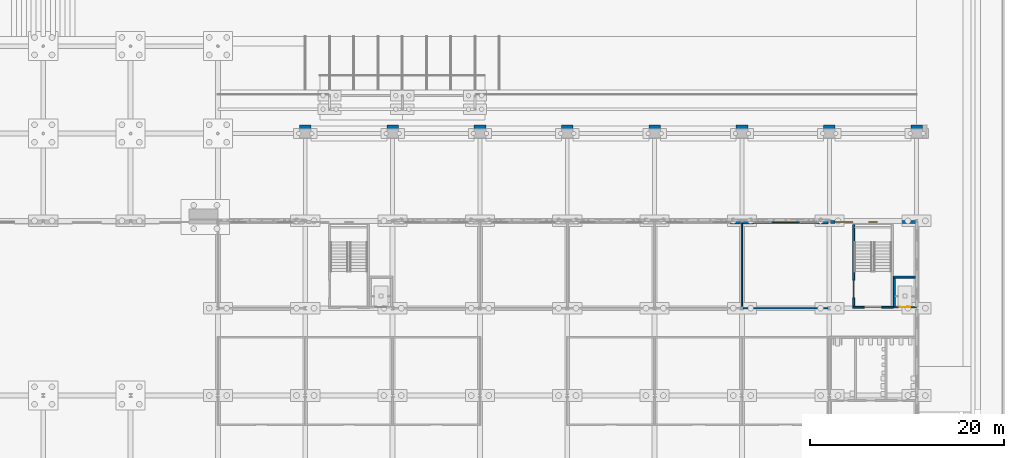
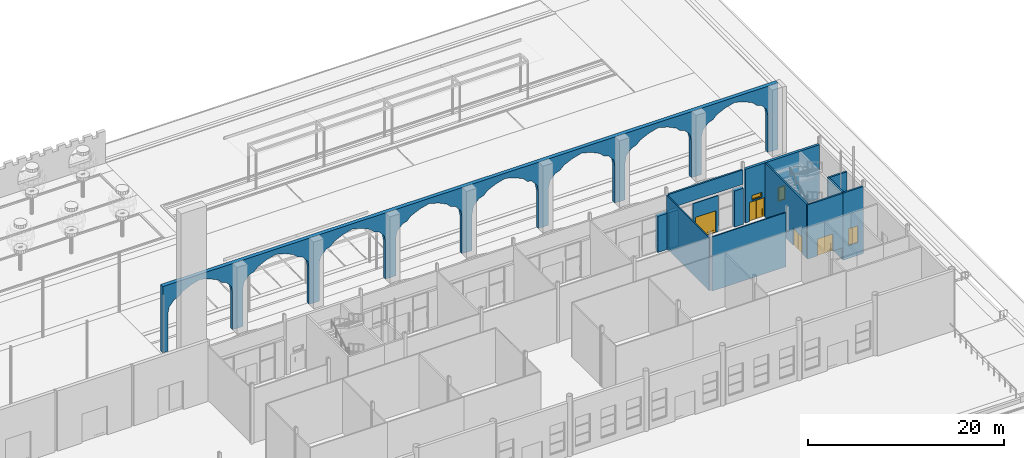
# One storey, part 132 of 250: 14 walls, 5 doors, 2 windows, 7 openings.
"""IFC4 building model written with IfcOpenShell, lengths in metres."""

import ifcopenshell
import ifcopenshell.guid

model = None  # the IFC model being written
_history = None  # IfcOwnerHistory: only IFC2X3 demands one
_inside = {}  # id of a spatial element -> (the spatial element, [elements in it])
_under = {}  # id of a project, library or spatial element -> (it, [spatial elements below it])
_declared = {}  # id of a project -> (the project, [libraries it declares])
_typed = {}  # id of a type object -> (the type object, [elements of that type])
_made_of = {}  # id of a material, layer set ... -> (it, [elements and type objects made of it])


def new_model(schema):
    """Start an empty IFC model of exactly this schema.

    Asked for "IFC4X3", IfcOpenShell would pick the latest addendum, in which some entities
    have other attributes; the version numbers below select the first issue.
    IFC2X3 requires an IfcOwnerHistory on every rooted entity: one is made here for all.
    """
    global model, _history
    if schema == "IFC4X3":
        model = ifcopenshell.file(schema_version=(4, 3, 0, 0))
    else:
        model = ifcopenshell.file(schema=schema)
    _inside.clear()
    _under.clear()
    _declared.clear()
    _typed.clear()
    _made_of.clear()
    _history = None
    if model.schema == "IFC2X3":
        org = make("IfcOrganization", Name="unknown")
        user = make(
            "IfcPersonAndOrganization",
            ThePerson=make("IfcPerson", FamilyName="unknown"),
            TheOrganization=org,
        )
        app = make(
            "IfcApplication",
            ApplicationDeveloper=org,
            Version="unknown",
            ApplicationFullName="unknown",
            ApplicationIdentifier="unknown",
        )
        _history = make(
            "IfcOwnerHistory",
            OwningUser=user,
            OwningApplication=app,
            ChangeAction="ADDED",
            CreationDate=0,
        )
    return model


def make(cls, **values):
    """One entity of the class cls with the attributes given. An attribute that is None is left unset."""
    return model.create_entity(
        cls, **{name: value for name, value in values.items() if value is not None}
    )


def rooted(cls, **values):
    """An entity with a GlobalId (a new one), such as an element, a storey or a relation."""
    return make(cls, GlobalId=ifcopenshell.guid.new(), OwnerHistory=_history, **values)


def si_unit(unit_type, name, prefix=None):
    """IfcSIUnit, for example si_unit("LENGTHUNIT", "METRE", prefix="MILLI")."""
    return make("IfcSIUnit", UnitType=unit_type, Prefix=prefix, Name=name)


def assignment(units):
    """IfcUnitAssignment: the units of a project."""
    return None if units is None else make("IfcUnitAssignment", Units=units)


def point(xyz):
    """IfcCartesianPoint."""
    return None if xyz is None else make("IfcCartesianPoint", Coordinates=xyz)


def direction(xyz):
    """IfcDirection."""
    return None if xyz is None else make("IfcDirection", DirectionRatios=xyz)


def frame(location, z_axis=None, x_axis=None):
    """IfcAxis2Placement3D, a coordinate frame: its origin and axes. An axis left out is left unset."""
    return make(
        "IfcAxis2Placement3D",
        Location=point(location),
        Axis=direction(z_axis),
        RefDirection=direction(x_axis),
    )


def frame_2d(location, x_axis=None):
    """IfcAxis2Placement2D, a coordinate frame in the plane: its origin and x axis."""
    return make(
        "IfcAxis2Placement2D", Location=point(location), RefDirection=direction(x_axis)
    )


def origin():
    """The frame at (0, 0, 0) with its axes left unset."""
    return frame((0.0, 0.0, 0.0))


def place(relative_to, where):
    """IfcLocalPlacement: puts the frame where relative to a parent placement (None: the world)."""
    return make(
        "IfcLocalPlacement", PlacementRelTo=relative_to, RelativePlacement=where
    )


def context(
    kind, dimensions, precision=None, world=None, true_north=None, identifier=None
):
    """IfcGeometricRepresentationContext, for example the 3D "Model" context."""
    return make(
        "IfcGeometricRepresentationContext",
        ContextIdentifier=identifier,
        ContextType=kind,
        CoordinateSpaceDimension=dimensions,
        Precision=precision,
        WorldCoordinateSystem=world,
        TrueNorth=true_north,
    )


def subcontext(parent, identifier, kind, view, scale=None):
    """IfcGeometricRepresentationSubContext, for example "Body" below "Model"."""
    return make(
        "IfcGeometricRepresentationSubContext",
        ContextIdentifier=identifier,
        ContextType=kind,
        ParentContext=parent,
        TargetScale=scale,
        TargetView=view,
    )


def project(units=None, contexts=None):
    """IfcProject with its units and contexts."""
    return rooted(
        "IfcProject",
        Name="project",
        RepresentationContexts=contexts,
        UnitsInContext=assignment(units),
    )


def spatial(cls, under=None, at=None, **own):
    """A site, building, storey or space (cls), placed at a placement, below another one or the project."""
    s = rooted(cls, ObjectPlacement=at, **own)
    if under is not None:
        _under.setdefault(under.id(), (under, []))[1].append(s)
    return s


def polyline(points):
    """IfcPolyline through the points."""
    return make("IfcPolyline", Points=[point(p) for p in points])


def profile(cls, at=None, kind="AREA", **sizes):
    """A parametric profile (cls). Its sizes go by their IFC names, for example OverallWidth=200.0."""
    return make(cls, ProfileType=kind, Position=at, **sizes)


def rectangle(**sizes):
    """IfcRectangleProfileDef."""
    return profile("IfcRectangleProfileDef", **sizes)


def outline(outer, holes=None, kind="AREA"):
    """IfcArbitraryClosedProfileDef: a profile drawn as a closed curve; with holes, ...WithVoids."""
    if holes is None:
        return make("IfcArbitraryClosedProfileDef", ProfileType=kind, OuterCurve=outer)
    return make(
        "IfcArbitraryProfileDefWithVoids",
        ProfileType=kind,
        OuterCurve=outer,
        InnerCurves=holes,
    )


def extrude(swept, where, along, depth):
    """IfcExtrudedAreaSolid: the profile swept, set in the frame where, extruded along a direction by depth."""
    return make(
        "IfcExtrudedAreaSolid",
        SweptArea=swept,
        Position=where,
        ExtrudedDirection=direction(along),
        Depth=depth,
    )


def shape(context_of_items, identifier, shape_type, items):
    """IfcShapeRepresentation: the items that make up one representation, for example the "Body"."""
    return make(
        "IfcShapeRepresentation",
        ContextOfItems=context_of_items,
        RepresentationIdentifier=identifier,
        RepresentationType=shape_type,
        Items=items,
    )


def material(Name=None, Category=None):
    """IfcMaterial."""
    return make("IfcMaterial", Name=Name, Category=Category)


def layer(
    of_material, thickness, ventilated=None, Name=None, Category=None, Priority=None
):
    """IfcMaterialLayer: one layer of a wall or slab, of a material (None: an air gap)."""
    return make(
        "IfcMaterialLayer",
        Material=of_material,
        LayerThickness=thickness,
        IsVentilated=ventilated,
        Name=Name,
        Category=Category,
        Priority=Priority,
    )


def layer_set(layers, Name=None):
    """IfcMaterialLayerSet."""
    return make("IfcMaterialLayerSet", MaterialLayers=layers, LayerSetName=Name)


def made_of(thing, what):
    """Note that an element or type object is made of a material, layer set ...; save() writes the relation."""
    if what is not None:
        _made_of.setdefault(what.id(), (what, []))[1].append(thing)
    return thing


def type_object(cls, material=None, **own):
    """A type object (cls), such as IfcWallType, which elements share."""
    return made_of(rooted(cls, **own), material)


def element(
    cls,
    number,
    at=None,
    inside=None,
    cuts=None,
    type_object=None,
    material=None,
    context=None,
    identifier="Body",
    shape_type=None,
    held_by="IfcProductDefinitionShape",
    body=None,
    shapes=None,
    **own,
):
    """One element of the class cls, such as IfcWall. Its Tag is "e" and its number.

    at: its placement. inside: the storey or other place that contains it. cuts: it is an
    opening in that element (IfcRelVoidsElement). A single representation is given by context,
    identifier, shape_type and body (its items); several are given by shapes. held_by: the class
    of the entity that holds the representations. save() writes the other relations.
    """
    e = rooted(cls, Tag="e%d" % number, ObjectPlacement=at, **own)
    if body is not None:
        shapes = [shape(context, identifier, shape_type, body)]
    if shapes is not None:
        e.Representation = make(held_by, Representations=shapes)
    if inside is not None:
        _inside.setdefault(inside.id(), (inside, []))[1].append(e)
    if cuts is not None:
        rooted(
            "IfcRelVoidsElement", RelatingBuildingElement=cuts, RelatedOpeningElement=e
        )
    if type_object is not None:
        _typed.setdefault(type_object.id(), (type_object, []))[1].append(e)
    return made_of(e, material)


def fill(opening, filler):
    """IfcRelFillsElement: the door or window that sits in an opening."""
    return rooted(
        "IfcRelFillsElement",
        RelatingOpeningElement=opening,
        RelatedBuildingElement=filler,
    )


def aggregate(whole, parts):
    """IfcRelAggregates: a whole, such as a stair, and the parts it consists of."""
    return rooted("IfcRelAggregates", RelatingObject=whole, RelatedObjects=parts)


def save(model, path):
    """Write the relations noted so far, then the file.

    IfcRelAggregates (storeys below a building ...), IfcRelContainedInSpatialStructure (elements
    in a storey), IfcRelDefinesByType, IfcRelAssociatesMaterial and IfcRelDeclares: one each for
    every whole, place, type object, material and project.
    """
    for whole, parts in _under.values():
        aggregate(whole, parts)
    for where, things in _inside.values():
        rooted(
            "IfcRelContainedInSpatialStructure",
            RelatedElements=things,
            RelatingStructure=where,
        )
    for kind, things in _typed.values():
        rooted("IfcRelDefinesByType", RelatedObjects=things, RelatingType=kind)
    for what, things in _made_of.values():
        rooted("IfcRelAssociatesMaterial", RelatedObjects=things, RelatingMaterial=what)
    for by, libraries in _declared.values():
        rooted("IfcRelDeclares", RelatingContext=by, RelatedDefinitions=libraries)
    model.write(path)


model = new_model("IFC4")

# Units and contexts
model_context = context("Model", 3, precision=1e-05, world=origin(), true_north=direction((0.0, 1.0)))
body_context = subcontext(model_context, "Body", "Model", "MODEL_VIEW")
ifc_project = project(units=[si_unit("LENGTHUNIT", "METRE"), si_unit("AREAUNIT", "SQUARE_METRE"), si_unit("VOLUMEUNIT", "CUBIC_METRE"), si_unit("PLANEANGLEUNIT", "RADIAN"), si_unit("MASSUNIT", "GRAM", prefix="KILO")], contexts=[model_context])

# Site, building, storey
site_placement = place(None, origin())
site = spatial("IfcSite", under=ifc_project, at=site_placement, CompositionType="ELEMENT")
building_placement = place(site_placement, origin())
building = spatial("IfcBuilding", under=site, at=building_placement, Name="Baradari Gate Terminus", CompositionType="ELEMENT")
storey_placement = place(building_placement, origin())
storey = spatial("IfcBuildingStorey", under=building, at=storey_placement, Name="L00", CompositionType="ELEMENT", Elevation=0.0)

# Walls
ifc_material_1 = material(Name="Sandstone masonry", Category="masonry")
ifc_layer_1 = layer(ifc_material_1, 0.199951171875)
ifc_layer_set_1 = layer_set([ifc_layer_1], Name="Sandstone masonry")
wall_type_1 = type_object("IfcWallType", Name="Arcade infill wall WA-1 200", PredefinedType="SOLIDWALL", material=ifc_layer_set_1)
wall_1_placement = place(storey_placement, frame((225.128173828125, 107.87841796875, 4.89990234375), z_axis=(0.0, 0.0, 1.0), x_axis=(1.0, 0.0, 0.0)))
element("IfcWall", 1, at=wall_1_placement, inside=storey, type_object=wall_type_1, Name="Arcade tympanum wall bay 25 L00", PredefinedType="SOLIDWALL", context=body_context, shape_type="SweptSolid", body=[
    extrude(rectangle(XDim=8.74365234375, YDim=0.199951171875, at=frame_2d((4.371826171875, 0.0))), origin(), (0.0, 0.0, 1.0), 1.792236328125),
])
ifc_material_2 = material(Name="Gypsum board")
ifc_layer_2 = layer(ifc_material_2, 0.125)
ifc_layer_set_2 = layer_set([ifc_layer_2], Name="Gypsum board")
wall_type_2 = type_object("IfcWallType", Name="Corridor partition PT-5 125 EI 30", PredefinedType="PARTITIONING", material=ifc_layer_set_2)
wall_2_placement = place(storey_placement, frame((225.15380859375, 99.0, 0.0), z_axis=(0.0, 0.0, 1.0), x_axis=(1.0, 0.0, 0.0)))
element("IfcWall", 2, at=wall_2_placement, inside=storey, type_object=wall_type_2, Name="PT-5 partition Corridor (Service Corridor East) / Shop 08", PredefinedType="PARTITIONING", context=body_context, shape_type="SweptSolid", body=[
    extrude(rectangle(XDim=8.6923828125, YDim=0.125, at=frame_2d((4.34619140625, 0.0))), origin(), (0.0, 0.0, 1.0), 6.757080078125),
])

# Wall, opening, door
ifc_material_3 = material(Name="Laminated glass in aluminium frame", Category="aluminium")
ifc_layer_3 = layer(ifc_material_3, 0.14990234375)
ifc_layer_set_3 = layer_set([ifc_layer_3], Name="Laminated glass in aluminium frame")
wall_type_3 = type_object("IfcWallType", Name="Glazed entrance screen WG-1 150", PredefinedType="ELEMENTEDWALL", material=ifc_layer_set_3)
wall_3_placement = place(storey_placement, frame((228.0, 107.87841796875, 0.0), z_axis=(0.0, 0.0, 1.0), x_axis=(1.0, 0.0, 0.0)))
wall_3 = element("IfcWall", 3, at=wall_3_placement, inside=storey, type_object=wall_type_3, Name="Glazed entrance screen HN bay 25 L00", PredefinedType="ELEMENTEDWALL", context=body_context, shape_type="SweptSolid", body=[
    extrude(rectangle(XDim=3.0, YDim=0.14990234375, at=frame_2d((1.5, 0.0))), origin(), (0.0, 0.0, 1.0), 4.5),
])
opening_1_placement = place(wall_3_placement, frame((0.300048828125, 0.0, 0.0)))
opening_1 = element("IfcOpeningElement", 4, at=opening_1_placement, cuts=wall_3, Name="Opening D00-031", PredefinedType="OPENING", context=body_context, shape_type="SweptSolid", body=[
    extrude(rectangle(XDim=2.39990234375, YDim=2.699951171875, at=frame_2d((1.199951171875, 1.35009765625))), frame((0.0, 0.0849609375, 0.0), z_axis=(0.0, -1.0, 0.0), x_axis=(1.0, 0.0, 0.0)), (0.0, 0.0, 1.0), 0.169921875),
])
ifc_material_4 = material(Name="Aluminium 6063-T6", Category="aluminium")
door_type_1 = type_object("IfcDoorType", Name="Shop entrance door pair, glazed DT-2 2400x2700", OperationType="DOUBLE_DOOR_DOUBLE_SWING", PredefinedType="DOOR", material=ifc_material_4)
door_1_placement = place(opening_1_placement, origin())
door_1 = element("IfcDoor", 5, at=door_1_placement, inside=storey, type_object=door_type_1, Name="Entrance door Shop 08", OperationType="DOUBLE_DOOR_SINGLE_SWING", OverallHeight=2.7, OverallWidth=2.4, PredefinedType="DOOR", context=body_context, shape_type="SweptSolid", body=[
    extrude(outline(polyline([(0.0, 0.0), (0.070068359375, 0.0), (0.070068359375, 2.6298828125), (2.329833984375, 2.6298828125), (2.329833984375, 0.0), (2.39990234375, 0.0), (2.39990234375, 2.699951171875), (0.0, 2.699951171875), (0.0, 0.0)])), frame((0.0, 0.02490234375, 0.0), z_axis=(0.0, -1.0, 0.0), x_axis=(1.0, 0.0, 0.0)), (0.0, 0.0, 1.0), 0.050048828125),
    extrude(outline(polyline([(0.073974609375, 0.010009765625), (1.19677734375, 0.010009765625), (1.19677734375, 2.6259765625), (0.073974609375, 2.6259765625), (0.073974609375, 0.010009765625)]), holes=[polyline([(0.1640625, 0.31005859375), (1.10693359375, 0.31005859375), (1.10693359375, 2.535888671875), (0.1640625, 2.535888671875), (0.1640625, 0.31005859375)])]), frame((0.0, 0.017333984375, 0.0), z_axis=(0.0, -1.0, 0.0), x_axis=(1.0, 0.0, 0.0)), (0.0, 0.0, 1.0), 0.034912109375),
    extrude(rectangle(XDim=0.94287109375, YDim=2.225830078125, at=frame_2d((0.635498046875, 1.4228515625))), frame((0.0, 0.005859375, 0.0), z_axis=(0.0, -1.0, 0.0), x_axis=(1.0, 0.0, 0.0)), (0.0, 0.0, 1.0), 0.011962890625),
    extrude(outline(polyline([(1.203125, 0.010009765625), (2.325927734375, 0.010009765625), (2.325927734375, 2.6259765625), (1.203125, 2.6259765625), (1.203125, 0.010009765625)]), holes=[polyline([(1.29296875, 0.31005859375), (2.23583984375, 0.31005859375), (2.23583984375, 2.535888671875), (1.29296875, 2.535888671875), (1.29296875, 0.31005859375)])]), frame((0.0, 0.017333984375, 0.0), z_axis=(0.0, -1.0, 0.0), x_axis=(1.0, 0.0, 0.0)), (0.0, 0.0, 1.0), 0.034912109375),
    extrude(rectangle(XDim=0.94287109375, YDim=2.225830078125, at=frame_2d((1.764404296875, 1.4228515625))), frame((0.0, 0.005859375, 0.0), z_axis=(0.0, -1.0, 0.0), x_axis=(1.0, 0.0, 0.0)), (0.0, 0.0, 1.0), 0.011962890625),
])
fill(opening_1, door_1)

# Walls
ifc_material_5 = material(Name="Laterite masonry", Category="masonry")
ifc_layer_4 = layer(ifc_material_5, 0.449951171875)
ifc_layer_set_4 = layer_set([ifc_layer_4], Name="Laterite masonry")
wall_type_4 = type_object("IfcWallType", Name="Laterite masonry pier WC-1 450", PredefinedType="SOLIDWALL", material=ifc_layer_set_4)
for number, where, z_axis, x_axis, name in (
    (6, (223.800048828125, 107.87841796875, 0.0), (0.0, 0.0, 1.0), (1.0, 0.0, 0.0), "Stone-clad pier HN bay 24 L00"),
    (7, (225.128173828125, 107.87841796875, 0.0), (0.0, 0.0, 1.0), (1.0, 0.0, 0.0), "Stone-clad pier HN bay 25 L00"),
    (8, (232.800048828125, 107.87841796875, 0.0), (0.0, 0.0, 1.0), (1.0, 0.0, 0.0), "Stone-clad pier HN bay 25 L00"),
):
    element("IfcWall", number, at=place(storey_placement, frame(where, z_axis=z_axis, x_axis=x_axis)), inside=storey, type_object=wall_type_4, Name=name, PredefinedType="SOLIDWALL", context=body_context, shape_type="SweptSolid", body=[
        extrude(rectangle(XDim=1.07177734375, YDim=0.449951171875, at=frame_2d((0.535888671875, 0.0))), origin(), (0.0, 0.0, 1.0), 4.5),
    ])
wall_4_placement = place(storey_placement, frame((171.175048828125, 117.675048828125, 0.0), z_axis=(0.0, 0.0, 1.0), x_axis=(1.0, 0.0, 0.0)))
element("IfcWall", 9, at=wall_4_placement, inside=storey, type_object=wall_type_4, Name="Arcade front wall 2 1", PredefinedType="SOLIDWALL", context=body_context, shape_type="SweptSolid", body=[
    extrude(outline(polyline([(0.60009765625, 0.0), (0.60009765625, 4.60009765625), (0.75244140625, 5.43994140625), (1.362548828125, 6.159912109375), (1.896240234375, 6.340087890625), (2.353759765625, 6.820068359375), (3.344970703125, 7.300048828125), (4.41259765625, 7.60009765625), (5.47998046875, 7.300048828125), (6.47119140625, 6.820068359375), (6.9287109375, 6.340087890625), (7.46240234375, 6.159912109375), (8.072509765625, 5.43994140625), (8.22509765625, 4.60009765625), (8.22509765625, 0.0), (9.425048828125, 0.0), (9.425048828125, 4.60009765625), (9.5810546875, 5.43994140625), (10.205078125, 6.159912109375), (10.7509765625, 6.340087890625), (11.218994140625, 6.820068359375), (12.23291015625, 7.300048828125), (13.324951171875, 7.60009765625), (14.4169921875, 7.300048828125), (15.430908203125, 6.820068359375), (15.89892578125, 6.340087890625), (16.445068359375, 6.159912109375), (17.069091796875, 5.43994140625), (17.22509765625, 4.60009765625), (17.22509765625, 0.0), (18.425048828125, 0.0), (18.425048828125, 4.60009765625), (18.5810546875, 5.43994140625), (19.205078125, 6.159912109375), (19.7509765625, 6.340087890625), (20.218994140625, 6.820068359375), (21.23291015625, 7.300048828125), (22.324951171875, 7.60009765625), (23.4169921875, 7.300048828125), (24.430908203125, 6.820068359375), (24.89892578125, 6.340087890625), (25.445068359375, 6.159912109375), (26.069091796875, 5.43994140625), (26.22509765625, 4.60009765625), (26.22509765625, 0.0), (27.425048828125, 0.0), (27.425048828125, 4.60009765625), (27.5810546875, 5.43994140625), (28.205078125, 6.159912109375), (28.7509765625, 6.340087890625), (29.218994140625, 6.820068359375), (30.23291015625, 7.300048828125), (31.324951171875, 7.60009765625), (32.4169921875, 7.300048828125), (33.430908203125, 6.820068359375), (33.89892578125, 6.340087890625), (34.445068359375, 6.159912109375), (35.069091796875, 5.43994140625), (35.22509765625, 4.60009765625), (35.22509765625, 0.0), (36.425048828125, 0.0), (36.425048828125, 4.60009765625), (36.5810546875, 5.43994140625), (37.205078125, 6.159912109375), (37.7509765625, 6.340087890625), (38.218994140625, 6.820068359375), (39.23291015625, 7.300048828125), (40.324951171875, 7.60009765625), (41.4169921875, 7.300048828125), (42.430908203125, 6.820068359375), (42.89892578125, 6.340087890625), (43.445068359375, 6.159912109375), (44.069091796875, 5.43994140625), (44.22509765625, 4.60009765625), (44.22509765625, 0.0), (45.425048828125, 0.0), (45.425048828125, 4.60009765625), (45.5810546875, 5.43994140625), (46.205078125, 6.159912109375), (46.7509765625, 6.340087890625), (47.218994140625, 6.820068359375), (48.23291015625, 7.300048828125), (49.324951171875, 7.60009765625), (50.4169921875, 7.300048828125), (51.430908203125, 6.820068359375), (51.89892578125, 6.340087890625), (52.445068359375, 6.159912109375), (53.069091796875, 5.43994140625), (53.22509765625, 4.60009765625), (53.22509765625, 0.0), (54.425048828125, 0.0), (54.425048828125, 4.60009765625), (54.5810546875, 5.43994140625), (55.205078125, 6.159912109375), (55.7509765625, 6.340087890625), (56.218994140625, 6.820068359375), (57.23291015625, 7.300048828125), (58.324951171875, 7.60009765625), (59.4169921875, 7.300048828125), (60.430908203125, 6.820068359375), (60.89892578125, 6.340087890625), (61.445068359375, 6.159912109375), (62.069091796875, 5.43994140625), (62.22509765625, 4.60009765625), (62.22509765625, 0.0), (63.425048828125, 0.0), (63.425048828125, 4.60009765625), (63.5810546875, 5.43994140625), (64.205078125, 6.159912109375), (64.7509765625, 6.340087890625), (65.218994140625, 6.820068359375), (66.23291015625, 7.300048828125), (67.324951171875, 7.60009765625), (68.4169921875, 7.300048828125), (69.430908203125, 6.820068359375), (69.89892578125, 6.340087890625), (70.445068359375, 6.159912109375), (71.069091796875, 5.43994140625), (71.22509765625, 4.60009765625), (71.22509765625, 0.0), (72.425048828125, 0.0), (72.425048828125, 8.25), (0.0, 8.25), (0.0, 0.0), (0.60009765625, 0.0)])), frame((0.0, 0.22509765625, 0.0), z_axis=(0.0, -1.0, 0.0), x_axis=(1.0, 0.0, 0.0)), (0.0, 0.0, 1.0), 0.449951171875),
])

# Wall, opening, door
ifc_material_6 = material(Name="Blockwork wall, fire rated", Category="masonry")
ifc_layer_5 = layer(ifc_material_6, 0.199951171875)
ifc_layer_set_5 = layer_set([ifc_layer_5], Name="Blockwork wall, fire rated")
wall_type_5 = type_object("IfcWallType", Name="Lift shaft wall SH-1 200 EI 120", PredefinedType="SOLIDWALL", material=ifc_layer_set_5)
wall_5_placement = place(storey_placement, frame((240.60205078125, 99.10009765625, -1.60009765625), z_axis=(0.0, 0.0, 1.0), x_axis=(1.0, 0.0, 0.0)))
wall_5 = element("IfcWall", 10, at=wall_5_placement, inside=storey, type_object=wall_type_5, Name="Lift shaft wall LH4 L00 S", PredefinedType="SOLIDWALL", context=body_context, shape_type="SweptSolid", body=[
    extrude(rectangle(XDim=2.39794921875, YDim=0.199951171875, at=frame_2d((1.198974609375, 0.0))), origin(), (0.0, 0.0, 1.0), 8.357177734375),
])
opening_2_placement = place(wall_5_placement, frame((0.64794921875, 0.0, 1.60009765625)))
opening_2 = element("IfcOpeningElement", 11, at=opening_2_placement, cuts=wall_5, Name="Opening D00-075", PredefinedType="OPENING", context=body_context, shape_type="SweptSolid", body=[
    extrude(rectangle(XDim=1.10009765625, YDim=2.10009765625, at=frame_2d((0.550048828125, 1.050048828125))), frame((0.0, 0.10986328125, 0.0), z_axis=(0.0, -1.0, 0.0), x_axis=(1.0, 0.0, 0.0)), (0.0, 0.0, 1.0), 0.219970703125),
])
ifc_material_7 = material(Name="Stainless steel 1.4301", Category="steel")
door_type_2 = type_object("IfcDoorType", Name="Lift landing door LD 1100x2100 E 120", OperationType="SLIDING_TO_LEFT", PredefinedType="DOOR", material=ifc_material_7)
door_2_placement = place(opening_2_placement, origin())
door_2 = element("IfcDoor", 12, at=door_2_placement, inside=storey, type_object=door_type_2, Name="Lift landing door LH4 L00", OperationType="SLIDING_TO_LEFT", OverallHeight=2.1, OverallWidth=1.1, PredefinedType="DOOR", context=body_context, shape_type="SweptSolid", body=[
    extrude(outline(polyline([(0.0, 0.0), (0.070068359375, 0.0), (0.070068359375, 2.030029296875), (1.030029296875, 2.030029296875), (1.030029296875, 0.0), (1.10009765625, 0.0), (1.10009765625, 2.10009765625), (0.0, 2.10009765625), (0.0, 0.0)])), frame((0.0, 0.02490234375, 0.0), z_axis=(0.0, -1.0, 0.0), x_axis=(1.0, 0.0, 0.0)), (0.0, 0.0, 1.0), 0.050048828125),
    extrude(rectangle(XDim=0.523681640625, YDim=2.01611328125, at=frame_2d((0.3359375, 1.01806640625))), frame((0.0, 0.017822265625, 0.0), z_axis=(0.0, -1.0, 0.0), x_axis=(1.0, 0.0, 0.0)), (0.0, 0.0, 1.0), 0.015869140625),
    extrude(rectangle(XDim=0.519775390625, YDim=2.01611328125, at=frame_2d((0.76611328125, 1.01806640625))), frame((0.0, -0.002197265625, 0.0), z_axis=(0.0, -1.0, 0.0), x_axis=(1.0, 0.0, 0.0)), (0.0, 0.0, 1.0), 0.015869140625),
])
fill(opening_2, door_2)

# Walls
wall_6_placement = place(storey_placement, frame((240.60205078125, 102.199951171875, -1.60009765625), z_axis=(0.0, 0.0, 1.0), x_axis=(1.0, 0.0, 0.0)))
element("IfcWall", 13, at=wall_6_placement, inside=storey, type_object=wall_type_5, Name="Lift shaft wall LH4 L00 N", PredefinedType="SOLIDWALL", context=body_context, shape_type="SweptSolid", body=[
    extrude(rectangle(XDim=2.255859375, YDim=0.199951171875, at=frame_2d((1.1279296875, 0.0))), origin(), (0.0, 0.0, 1.0), 8.357177734375),
])
wall_7_placement = place(storey_placement, frame((240.699951171875, 99.199951171875, -1.60009765625), z_axis=(0.0, 0.0, 1.0), x_axis=(0.0, 1.0, 0.0)))
element("IfcWall", 14, at=wall_7_placement, inside=storey, type_object=wall_type_5, Name="Lift shaft wall LH4 L00 W", PredefinedType="SOLIDWALL", context=body_context, shape_type="SweptSolid", body=[
    extrude(rectangle(XDim=2.900146484375, YDim=0.199951171875, at=frame_2d((1.4501953125, 0.0))), origin(), (0.0, 0.0, 1.0), 8.357177734375),
])
ifc_material_8 = material(Name="Blockwork wall, plastered", Category="masonry")
ifc_layer_6 = layer(ifc_material_8, 0.14990234375)
ifc_layer_set_6 = layer_set([ifc_layer_6], Name="Blockwork wall, plastered")
wall_type_6 = type_object("IfcWallType", Name="Partition PT-2 150 EI 60", PredefinedType="PARTITIONING", material=ifc_layer_set_6)
wall_8_placement = place(storey_placement, frame((225.0, 107.869873046875, 0.0), z_axis=(0.0, 0.0, 1.0), x_axis=(0.0, -1.0, 0.0)))
element("IfcWall", 15, at=wall_8_placement, inside=storey, type_object=wall_type_6, Name="PT-2 partition Shop 07 / Shop 08", PredefinedType="PARTITIONING", context=body_context, shape_type="SweptSolid", body=[
    extrude(rectangle(XDim=8.712646484375, YDim=0.14990234375, at=frame_2d((4.3564453125, 0.0))), origin(), (0.0, 0.0, 1.0), 6.60009765625),
])

# Wall, openings, windows, door
ifc_material_9 = material(Name="Concrete C32/40", Category="concrete")
ifc_layer_7 = layer(ifc_material_9, 0.2)
ifc_material_10 = material(Name="Sandstone cladding", Category="masonry")
ifc_layer_8 = layer(ifc_material_10, 0.1)
ifc_layer_set_7 = layer_set([ifc_layer_7, ifc_layer_8], Name="Concrete C32/40")
wall_type_7 = type_object("IfcWallType", Name="Stair enclosure cladding wall WS-2 300", PredefinedType="SOLIDWALL", material=ifc_layer_set_7)
wall_9_placement = place(storey_placement, frame((234.128173828125, 107.87841796875, 0.0), z_axis=(0.0, 0.0, 1.0), x_axis=(1.0, 0.0, 0.0)))
wall_9 = element("IfcWall", 16, at=wall_9_placement, inside=storey, type_object=wall_type_7, Name="arcade HN bay 27 L00", PredefinedType="SOLIDWALL", context=body_context, shape_type="SweptSolid", body=[
    extrude(rectangle(XDim=8.74365234375, YDim=0.300048828125, at=frame_2d((4.371826171875, 0.0))), origin(), (0.0, 0.0, 1.0), 6.692138671875),
])
opening_3_placement = place(wall_9_placement, frame((0.471923828125, 0.0, 0.0)))
opening_3 = element("IfcOpeningElement", 17, at=opening_3_placement, cuts=wall_9, Name="Opening D00-032", PredefinedType="OPENING", context=body_context, shape_type="SweptSolid", body=[
    extrude(rectangle(XDim=1.800048828125, YDim=2.39990234375, at=frame_2d((0.89990234375, 1.199951171875))), frame((0.0, 0.159912109375, 0.0), z_axis=(0.0, -1.0, 0.0), x_axis=(1.0, 0.0, 0.0)), (0.0, 0.0, 1.0), 0.320068359375),
])
opening_4_placement = place(wall_9_placement, frame((0.771728515625, 0.0, 2.550048828125)))
opening_4 = element("IfcOpeningElement", 18, at=opening_4_placement, cuts=wall_9, Name="Opening W10", PredefinedType="OPENING", context=body_context, shape_type="SweptSolid", body=[
    extrude(rectangle(XDim=1.199951171875, YDim=0.60009765625, at=frame_2d((0.60009765625, 0.300048828125))), frame((0.0, 0.159912109375, 0.0), z_axis=(0.0, -1.0, 0.0), x_axis=(1.0, 0.0, 0.0)), (0.0, 0.0, 1.0), 0.320068359375),
])
opening_5_placement = place(wall_9_placement, frame((3.921875, 0.0, 1.199951171875)))
opening_5 = element("IfcOpeningElement", 19, at=opening_5_placement, cuts=wall_9, Name="Opening W6", PredefinedType="OPENING", context=body_context, shape_type="SweptSolid", body=[
    extrude(rectangle(XDim=0.89990234375, YDim=1.800048828125, at=frame_2d((0.449951171875, 0.89990234375))), frame((0.0, 0.159912109375, 0.0), z_axis=(0.0, -1.0, 0.0), x_axis=(1.0, 0.0, 0.0)), (0.0, 0.0, 1.0), 0.320068359375),
])
ifc_material_11 = material(Name="Aluminium 6063-T6", Category="aluminium")
window_type_1 = type_object("IfcWindowType", Name="Door fanlight W10 1200x600", PartitioningType="SINGLE_PANEL", PredefinedType="WINDOW", material=ifc_material_11)
window_1_placement = place(opening_4_placement, origin())
window_1 = element("IfcWindow", 20, at=window_1_placement, inside=storey, type_object=window_type_1, Name="Fanlight over Corridor (Stair Passage)", OverallHeight=0.6, OverallWidth=1.2, PartitioningType="SINGLE_PANEL", PredefinedType="WINDOW", context=body_context, shape_type="SweptSolid", body=[
    extrude(outline(polyline([(0.0, 0.0), (1.199951171875, 0.0), (1.199951171875, 0.60009765625), (0.0, 0.60009765625), (0.0, 0.0)]), holes=[polyline([(0.070068359375, 0.070068359375), (1.1298828125, 0.070068359375), (1.1298828125, 0.530029296875), (0.070068359375, 0.530029296875), (0.070068359375, 0.070068359375)])]), frame((0.0, 0.030029296875, 0.0), z_axis=(0.0, -1.0, 0.0), x_axis=(1.0, 0.0, 0.0)), (0.0, 0.0, 1.0), 0.06005859375),
    extrude(outline(polyline([(0.070068359375, 0.070068359375), (1.1298828125, 0.070068359375), (1.1298828125, 0.530029296875), (0.070068359375, 0.530029296875), (0.070068359375, 0.070068359375)]), holes=[polyline([(0.10009765625, 0.10009765625), (1.099853515625, 0.10009765625), (1.099853515625, 0.5), (0.10009765625, 0.5), (0.10009765625, 0.10009765625)])]), frame((0.0, 0.0224609375, 0.0), z_axis=(0.0, -1.0, 0.0), x_axis=(1.0, 0.0, 0.0)), (0.0, 0.0, 1.0), 0.044921875),
    extrude(rectangle(XDim=0.999755859375, YDim=0.39990234375, at=frame_2d((0.60009765625, 0.300048828125))), frame((0.0, 0.006103515625, 0.0), z_axis=(0.0, -1.0, 0.0), x_axis=(1.0, 0.0, 0.0)), (0.0, 0.0, 1.0), 0.01220703125),
])
fill(opening_4, window_1)
ifc_material_12 = material(Name="Steel S235", Category="steel")
door_type_3 = type_object("IfcDoorType", Name="Stair exit door pair, steel DT-4 1800x2400", OperationType="DOUBLE_DOOR_SINGLE_SWING", PredefinedType="DOOR", material=ifc_material_12)
door_3_placement = place(opening_3_placement, origin())
door_3 = element("IfcDoor", 21, at=door_3_placement, inside=storey, type_object=door_type_3, Name="Exit door Corridor (Stair Passage)", OperationType="DOUBLE_DOOR_SINGLE_SWING", OverallHeight=2.4, OverallWidth=1.8, PredefinedType="DOOR", context=body_context, shape_type="SweptSolid", body=[
    extrude(outline(polyline([(0.0, 0.0), (0.070068359375, 0.0), (0.070068359375, 2.329833984375), (1.72998046875, 2.329833984375), (1.72998046875, 0.0), (1.800048828125, 0.0), (1.800048828125, 2.39990234375), (0.0, 2.39990234375), (0.0, 0.0)])), frame((0.0, 0.02490234375, 0.0), z_axis=(0.0, -1.0, 0.0), x_axis=(1.0, 0.0, 0.0)), (0.0, 0.0, 1.0), 0.050048828125),
    extrude(outline(polyline([(0.073974609375, 0.010009765625), (0.89697265625, 0.010009765625), (0.89697265625, 2.325927734375), (0.073974609375, 2.325927734375), (0.073974609375, 0.010009765625)]), holes=[polyline([(0.194091796875, 0.159912109375), (0.77685546875, 0.159912109375), (0.77685546875, 1.010009765625), (0.194091796875, 1.010009765625), (0.194091796875, 0.159912109375)]), polyline([(0.33544921875, 1.159912109375), (0.635498046875, 1.159912109375), (0.635498046875, 1.760009765625), (0.33544921875, 1.760009765625), (0.33544921875, 1.159912109375)])]), frame((0.0, 0.017333984375, 0.0), z_axis=(0.0, -1.0, 0.0), x_axis=(1.0, 0.0, 0.0)), (0.0, 0.0, 1.0), 0.034912109375),
    extrude(rectangle(XDim=0.582763671875, YDim=0.85009765625, at=frame_2d((0.4853515625, 0.5849609375))), frame((0.0, 0.008544921875, 0.0), z_axis=(0.0, -1.0, 0.0), x_axis=(1.0, 0.0, 0.0)), (0.0, 0.0, 1.0), 0.017333984375),
    extrude(rectangle(XDim=0.300048828125, YDim=0.60009765625, at=frame_2d((0.4853515625, 1.4599609375))), frame((0.0, 0.005859375, 0.0), z_axis=(0.0, -1.0, 0.0), x_axis=(1.0, 0.0, 0.0)), (0.0, 0.0, 1.0), 0.011962890625),
    extrude(outline(polyline([(0.903076171875, 0.010009765625), (1.72607421875, 0.010009765625), (1.72607421875, 2.325927734375), (0.903076171875, 2.325927734375), (0.903076171875, 0.010009765625)]), holes=[polyline([(1.023193359375, 0.159912109375), (1.60595703125, 0.159912109375), (1.60595703125, 1.010009765625), (1.023193359375, 1.010009765625), (1.023193359375, 0.159912109375)]), polyline([(1.16455078125, 1.159912109375), (1.464599609375, 1.159912109375), (1.464599609375, 1.760009765625), (1.16455078125, 1.760009765625), (1.16455078125, 1.159912109375)])]), frame((0.0, 0.017333984375, 0.0), z_axis=(0.0, -1.0, 0.0), x_axis=(1.0, 0.0, 0.0)), (0.0, 0.0, 1.0), 0.034912109375),
    extrude(rectangle(XDim=0.582763671875, YDim=0.85009765625, at=frame_2d((1.314453125, 0.5849609375))), frame((0.0, 0.008544921875, 0.0), z_axis=(0.0, -1.0, 0.0), x_axis=(1.0, 0.0, 0.0)), (0.0, 0.0, 1.0), 0.017333984375),
    extrude(rectangle(XDim=0.300048828125, YDim=0.60009765625, at=frame_2d((1.314453125, 1.4599609375))), frame((0.0, 0.005859375, 0.0), z_axis=(0.0, -1.0, 0.0), x_axis=(1.0, 0.0, 0.0)), (0.0, 0.0, 1.0), 0.011962890625),
])
fill(opening_3, door_3)
ifc_material_13 = material(Name="Aluminium 6063-T6", Category="aluminium")
window_type_2 = type_object("IfcWindowType", Name="Stair light W6 900x1800", PartitioningType="SINGLE_PANEL", PredefinedType="WINDOW", material=ifc_material_13)
window_2_placement = place(opening_5_placement, origin())
window_2 = element("IfcWindow", 22, at=window_2_placement, inside=storey, type_object=window_type_2, Name="Window W6 HN/26", OverallHeight=1.8, OverallWidth=0.9, PartitioningType="SINGLE_PANEL", PredefinedType="WINDOW", context=body_context, shape_type="SweptSolid", body=[
    extrude(outline(polyline([(0.0, 0.0), (0.89990234375, 0.0), (0.89990234375, 1.800048828125), (0.0, 1.800048828125), (0.0, 0.0)]), holes=[polyline([(0.070068359375, 0.070068359375), (0.829833984375, 0.070068359375), (0.829833984375, 1.72998046875), (0.070068359375, 1.72998046875), (0.070068359375, 0.070068359375)])]), frame((0.0, 0.030029296875, 0.0), z_axis=(0.0, -1.0, 0.0), x_axis=(1.0, 0.0, 0.0)), (0.0, 0.0, 1.0), 0.06005859375),
    extrude(outline(polyline([(0.070068359375, 0.070068359375), (0.829833984375, 0.070068359375), (0.829833984375, 1.72998046875), (0.070068359375, 1.72998046875), (0.070068359375, 0.070068359375)]), holes=[polyline([(0.10009765625, 0.10009765625), (0.7998046875, 0.10009765625), (0.7998046875, 1.699951171875), (0.10009765625, 1.699951171875), (0.10009765625, 0.10009765625)])]), frame((0.0, 0.0224609375, 0.0), z_axis=(0.0, -1.0, 0.0), x_axis=(1.0, 0.0, 0.0)), (0.0, 0.0, 1.0), 0.044921875),
    extrude(rectangle(XDim=0.69970703125, YDim=1.599853515625, at=frame_2d((0.449951171875, 0.89990234375))), frame((0.0, 0.006103515625, 0.0), z_axis=(0.0, -1.0, 0.0), x_axis=(1.0, 0.0, 0.0)), (0.0, 0.0, 1.0), 0.01220703125),
])
fill(opening_5, window_2)

# Wall, opening, door
ifc_material_14 = material(Name="Concrete C40/50", Category="concrete")
ifc_layer_9 = layer(ifc_material_14, 0.199951171875)
ifc_layer_set_8 = layer_set([ifc_layer_9], Name="Concrete C40/50")
wall_type_8 = type_object("IfcWallType", Name="Stair enclosure wall SE-5 200 EI 120", PredefinedType="SOLIDWALL", material=ifc_layer_set_8)
wall_10_placement = place(storey_placement, frame((236.39990234375, 99.10009765625, 0.0), z_axis=(0.0, 0.0, 1.0), x_axis=(1.0, 0.0, 0.0)))
wall_10 = element("IfcWall", 23, at=wall_10_placement, inside=storey, type_object=wall_type_8, Name="Stair enclosure wall SE-5 ST-H4 L00 S", PredefinedType="SOLIDWALL", context=body_context, shape_type="SweptSolid", body=[
    extrude(rectangle(XDim=4.2001953125, YDim=0.199951171875, at=frame_2d((2.10009765625, 0.0))), origin(), (0.0, 0.0, 1.0), 6.757080078125),
])
opening_6_placement = place(wall_10_placement, frame((1.199951171875, 0.0, 0.0)))
opening_6 = element("IfcOpeningElement", 24, at=opening_6_placement, cuts=wall_10, Name="Opening D00-128", PredefinedType="OPENING", context=body_context, shape_type="SweptSolid", body=[
    extrude(rectangle(XDim=1.800048828125, YDim=2.10009765625, at=frame_2d((0.89990234375, 1.050048828125))), frame((0.0, 0.10986328125, 0.0), z_axis=(0.0, -1.0, 0.0), x_axis=(1.0, 0.0, 0.0)), (0.0, 0.0, 1.0), 0.219970703125),
])
ifc_material_15 = material(Name="Steel S275", Category="steel")
door_type_4 = type_object("IfcDoorType", Name="Fire door FI-1800-FD90S 1800x2100 FD90S", OperationType="DOUBLE_DOOR_SINGLE_SWING", PredefinedType="DOOR", material=ifc_material_15)
door_4_placement = place(opening_6_placement, origin())
door_4 = element("IfcDoor", 25, at=door_4_placement, inside=storey, type_object=door_type_4, Name="Door Stair (Head-house) 4", OperationType="DOUBLE_DOOR_SINGLE_SWING", OverallHeight=2.1, OverallWidth=1.8, PredefinedType="DOOR", context=body_context, shape_type="SweptSolid", body=[
    extrude(outline(polyline([(0.0, 0.0), (0.070068359375, 0.0), (0.070068359375, 2.030029296875), (1.72998046875, 2.030029296875), (1.72998046875, 0.0), (1.800048828125, 0.0), (1.800048828125, 2.10009765625), (0.0, 2.10009765625), (0.0, 0.0)])), frame((0.0, 0.02490234375, 0.0), z_axis=(0.0, -1.0, 0.0), x_axis=(1.0, 0.0, 0.0)), (0.0, 0.0, 1.0), 0.050048828125),
    extrude(outline(polyline([(0.073974609375, 0.010009765625), (0.89697265625, 0.010009765625), (0.89697265625, 2.026123046875), (0.073974609375, 2.026123046875), (0.073974609375, 0.010009765625)]), holes=[polyline([(0.194091796875, 0.159912109375), (0.77685546875, 0.159912109375), (0.77685546875, 1.010009765625), (0.194091796875, 1.010009765625), (0.194091796875, 0.159912109375)]), polyline([(0.33544921875, 1.159912109375), (0.635498046875, 1.159912109375), (0.635498046875, 1.760009765625), (0.33544921875, 1.760009765625), (0.33544921875, 1.159912109375)])]), frame((0.0, 0.017333984375, 0.0), z_axis=(0.0, -1.0, 0.0), x_axis=(1.0, 0.0, 0.0)), (0.0, 0.0, 1.0), 0.034912109375),
    extrude(rectangle(XDim=0.582763671875, YDim=0.85009765625, at=frame_2d((0.4853515625, 0.5849609375))), frame((0.0, 0.008544921875, 0.0), z_axis=(0.0, -1.0, 0.0), x_axis=(1.0, 0.0, 0.0)), (0.0, 0.0, 1.0), 0.017333984375),
    extrude(rectangle(XDim=0.300048828125, YDim=0.60009765625, at=frame_2d((0.4853515625, 1.4599609375))), frame((0.0, 0.005859375, 0.0), z_axis=(0.0, -1.0, 0.0), x_axis=(1.0, 0.0, 0.0)), (0.0, 0.0, 1.0), 0.011962890625),
    extrude(outline(polyline([(0.903076171875, 0.010009765625), (1.72607421875, 0.010009765625), (1.72607421875, 2.026123046875), (0.903076171875, 2.026123046875), (0.903076171875, 0.010009765625)]), holes=[polyline([(1.023193359375, 0.159912109375), (1.60595703125, 0.159912109375), (1.60595703125, 1.010009765625), (1.023193359375, 1.010009765625), (1.023193359375, 0.159912109375)]), polyline([(1.16455078125, 1.159912109375), (1.464599609375, 1.159912109375), (1.464599609375, 1.760009765625), (1.16455078125, 1.760009765625), (1.16455078125, 1.159912109375)])]), frame((0.0, 0.017333984375, 0.0), z_axis=(0.0, -1.0, 0.0), x_axis=(1.0, 0.0, 0.0)), (0.0, 0.0, 1.0), 0.034912109375),
    extrude(rectangle(XDim=0.582763671875, YDim=0.85009765625, at=frame_2d((1.314453125, 0.5849609375))), frame((0.0, 0.008544921875, 0.0), z_axis=(0.0, -1.0, 0.0), x_axis=(1.0, 0.0, 0.0)), (0.0, 0.0, 1.0), 0.017333984375),
    extrude(rectangle(XDim=0.300048828125, YDim=0.60009765625, at=frame_2d((1.314453125, 1.4599609375))), frame((0.0, 0.005859375, 0.0), z_axis=(0.0, -1.0, 0.0), x_axis=(1.0, 0.0, 0.0)), (0.0, 0.0, 1.0), 0.011962890625),
])
fill(opening_6, door_4)

wall_11_placement = place(storey_placement, frame((236.5, 99.199951171875, 0.0), z_axis=(0.0, 0.0, 1.0), x_axis=(0.0, 1.0, 0.0)))
wall_11 = element("IfcWall", 26, at=wall_11_placement, inside=storey, type_object=wall_type_8, Name="Stair enclosure wall SE-5 ST-H4 L00 W", PredefinedType="SOLIDWALL", context=body_context, shape_type="SweptSolid", body=[
    extrude(rectangle(XDim=8.400146484375, YDim=0.199951171875, at=frame_2d((4.2001953125, 0.0))), origin(), (0.0, 0.0, 1.0), 6.757080078125),
])
opening_7_placement = place(wall_11_placement, frame((0.89990234375, 0.0, 0.0)))
opening_7 = element("IfcOpeningElement", 27, at=opening_7_placement, cuts=wall_11, Name="Opening D00-127", PredefinedType="OPENING", context=body_context, shape_type="SweptSolid", body=[
    extrude(rectangle(XDim=1.800048828125, YDim=2.10009765625, at=frame_2d((0.89990234375, 1.050048828125))), frame((0.0, 0.10986328125, 0.0), z_axis=(0.0, -1.0, 0.0), x_axis=(1.0, 0.0, 0.0)), (0.0, 0.0, 1.0), 0.219970703125),
])
door_5_placement = place(opening_7_placement, frame((1.800048828125, 0.0, 0.0), z_axis=(0.0, 0.0, 1.0), x_axis=(-1.0, 0.0, 0.0)))
door_5 = element("IfcDoor", 28, at=door_5_placement, inside=storey, type_object=door_type_4, Name="Door Stair (Head-house) 4", OperationType="DOUBLE_DOOR_SINGLE_SWING", OverallHeight=2.1, OverallWidth=1.8, PredefinedType="DOOR", context=body_context, shape_type="SweptSolid", body=[
    extrude(outline(polyline([(0.0, 0.0), (0.070068359375, 0.0), (0.070068359375, 2.030029296875), (1.72998046875, 2.030029296875), (1.72998046875, 0.0), (1.800048828125, 0.0), (1.800048828125, 2.10009765625), (0.0, 2.10009765625), (0.0, 0.0)])), frame((0.0, 0.02490234375, 0.0), z_axis=(0.0, -1.0, 0.0), x_axis=(1.0, 0.0, 0.0)), (0.0, 0.0, 1.0), 0.050048828125),
    extrude(outline(polyline([(0.073974609375, 0.010009765625), (0.89697265625, 0.010009765625), (0.89697265625, 2.026123046875), (0.073974609375, 2.026123046875), (0.073974609375, 0.010009765625)]), holes=[polyline([(0.194091796875, 0.159912109375), (0.77685546875, 0.159912109375), (0.77685546875, 1.010009765625), (0.194091796875, 1.010009765625), (0.194091796875, 0.159912109375)]), polyline([(0.33544921875, 1.159912109375), (0.635498046875, 1.159912109375), (0.635498046875, 1.760009765625), (0.33544921875, 1.760009765625), (0.33544921875, 1.159912109375)])]), frame((0.0, 0.017333984375, 0.0), z_axis=(0.0, -1.0, 0.0), x_axis=(1.0, 0.0, 0.0)), (0.0, 0.0, 1.0), 0.034912109375),
    extrude(rectangle(XDim=0.582763671875, YDim=0.85009765625, at=frame_2d((0.4853515625, 0.5849609375))), frame((0.0, 0.008544921875, 0.0), z_axis=(0.0, -1.0, 0.0), x_axis=(1.0, 0.0, 0.0)), (0.0, 0.0, 1.0), 0.017333984375),
    extrude(rectangle(XDim=0.300048828125, YDim=0.60009765625, at=frame_2d((0.4853515625, 1.4599609375))), frame((0.0, 0.005859375, 0.0), z_axis=(0.0, -1.0, 0.0), x_axis=(1.0, 0.0, 0.0)), (0.0, 0.0, 1.0), 0.011962890625),
    extrude(outline(polyline([(0.903076171875, 0.010009765625), (1.72607421875, 0.010009765625), (1.72607421875, 2.026123046875), (0.903076171875, 2.026123046875), (0.903076171875, 0.010009765625)]), holes=[polyline([(1.023193359375, 0.159912109375), (1.60595703125, 0.159912109375), (1.60595703125, 1.010009765625), (1.023193359375, 1.010009765625), (1.023193359375, 0.159912109375)]), polyline([(1.16455078125, 1.159912109375), (1.464599609375, 1.159912109375), (1.464599609375, 1.760009765625), (1.16455078125, 1.760009765625), (1.16455078125, 1.159912109375)])]), frame((0.0, 0.017333984375, 0.0), z_axis=(0.0, -1.0, 0.0), x_axis=(1.0, 0.0, 0.0)), (0.0, 0.0, 1.0), 0.034912109375),
    extrude(rectangle(XDim=0.582763671875, YDim=0.85009765625, at=frame_2d((1.314453125, 0.5849609375))), frame((0.0, 0.008544921875, 0.0), z_axis=(0.0, -1.0, 0.0), x_axis=(1.0, 0.0, 0.0)), (0.0, 0.0, 1.0), 0.017333984375),
    extrude(rectangle(XDim=0.300048828125, YDim=0.60009765625, at=frame_2d((1.314453125, 1.4599609375))), frame((0.0, 0.005859375, 0.0), z_axis=(0.0, -1.0, 0.0), x_axis=(1.0, 0.0, 0.0)), (0.0, 0.0, 1.0), 0.011962890625),
])
fill(opening_7, door_5)

save(model, "model.ifc")
